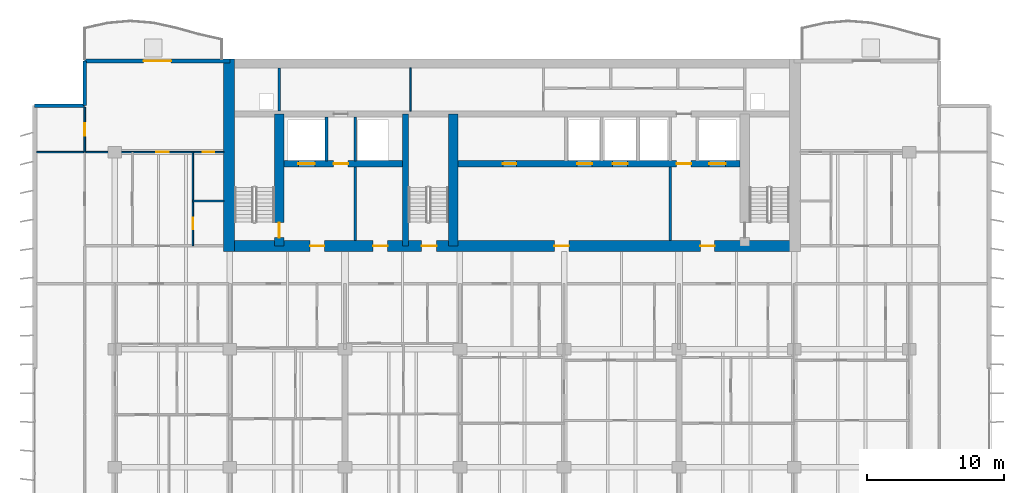
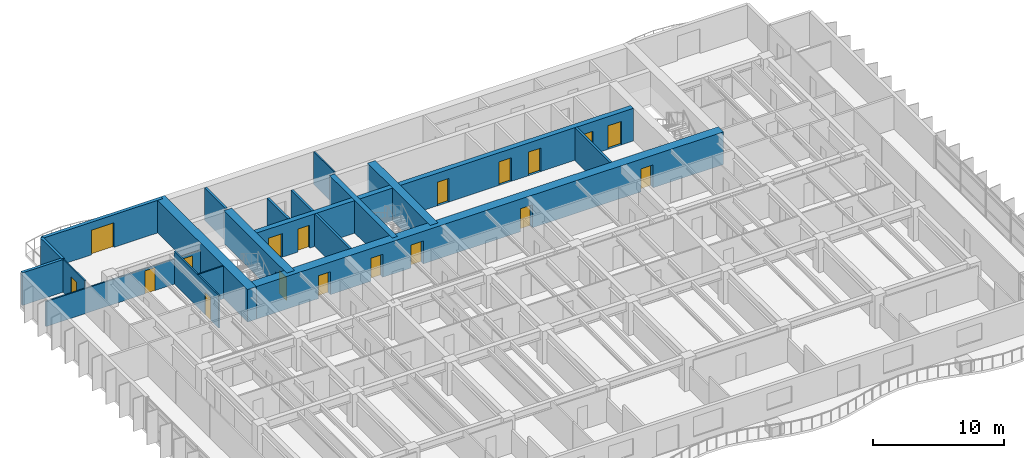
# One storey, part 10 of 16: 19 walls, 18 doors, 18 openings.
"""IFC4 building model written with IfcOpenShell, lengths in metres."""

from ifc_helpers import new_model, si_unit, direction, frame, frame_2d, origin, place, context, subcontext, project, spatial, rectangle, extrude, material, layer, layer_set, type_object, element, fill, save


model = new_model("IFC4")

# Units and contexts
model_context = context("Model", 3, precision=1e-05, world=origin(), true_north=direction((0.0, 1.0)))
body_context = subcontext(model_context, "Body", "Model", "MODEL_VIEW")
ifc_project = project(units=[si_unit("LENGTHUNIT", "METRE"), si_unit("AREAUNIT", "SQUARE_METRE"), si_unit("VOLUMEUNIT", "CUBIC_METRE"), si_unit("PLANEANGLEUNIT", "RADIAN"), si_unit("MASSUNIT", "GRAM", prefix="KILO")], contexts=[model_context])

# Site, building, storey
site_placement = place(None, origin())
site = spatial("IfcSite", under=ifc_project, at=site_placement, CompositionType="ELEMENT")
building_placement = place(site_placement, origin())
building = spatial("IfcBuilding", under=site, at=building_placement, Name="Caelmar Bay Residences", CompositionType="ELEMENT")
storey_placement = place(building_placement, frame((0.0, 0.0, 142.199951171875)))
storey = spatial("IfcBuildingStorey", under=building, at=storey_placement, Name="L39", CompositionType="ELEMENT", Elevation=142.199951171875)

# Wall, opening, door
ifc_material_1 = material(Name="Concrete f'c 55 MPa (8,000 psi)", Category="concrete")
ifc_layer_1 = layer(ifc_material_1, 0.699951171875)
ifc_layer_set_1 = layer_set([ifc_layer_1], Name="Concrete f'c 55 MPa (8,000 psi)")
wall_type_1 = type_object("IfcWallType", Name="SW-COR-700", PredefinedType="SHEAR", material=ifc_layer_set_1)
wall_1_placement = place(storey_placement, frame((21.89990234375, 36.949951171875, 0.0), z_axis=(0.0, 0.0, 1.0), x_axis=(0.0, 1.0, 0.0)))
wall_1 = element("IfcWall", 1, at=wall_1_placement, inside=storey, type_object=wall_type_1, Name="L39 Core Structural Web Wall ST1E", PredefinedType="SHEAR", context=body_context, shape_type="SweptSolid", body=[
    extrude(rectangle(XDim=9.625, YDim=0.699951171875, at=frame_2d((4.8125, 0.0))), origin(), (0.0, 0.0, 1.0), 3.050048828125),
])
opening_1_placement = place(wall_1_placement, frame((0.60009765625, 0.0, 0.0)))
opening_1 = element("IfcOpeningElement", 2, at=opening_1_placement, cuts=wall_1, Name="Opening D-L39-107", PredefinedType="OPENING", context=body_context, shape_type="SweptSolid", body=[
    extrude(rectangle(XDim=1.10009765625, YDim=2.14990234375, at=frame_2d((0.550048828125, 1.074951171875))), frame((0.0, 0.35986328125, 0.0), z_axis=(0.0, -1.0, 0.0), x_axis=(1.0, 0.0, 0.0)), (0.0, 0.0, 1.0), 0.719970703125),
])
ifc_material_2 = material(Name="Fire-rated steel and walnut architectural door assembly", Category="steel")
ifc_layer_2 = layer(ifc_material_2, 0.050048828125)
ifc_layer_set_2 = layer_set([ifc_layer_2], Name="Fire-rated steel and walnut architectural door assembly")
door_type_1 = type_object("IfcDoorType", Name="D-STAIR-1100", OperationType="NOTDEFINED", PredefinedType="DOOR", material=ifc_layer_set_2)
door_1_placement = place(opening_1_placement, origin())
door_1 = element("IfcDoor", 3, at=door_1_placement, inside=storey, type_object=door_type_1, Name="L39 Firefighting Lobby West Door", OperationType="SINGLE_SWING_LEFT", OverallHeight=2.14990234375, OverallWidth=1.10009765625, PredefinedType="DOOR", context=body_context, shape_type="SweptSolid", body=[
    extrude(rectangle(XDim=1.10009765625, YDim=2.14990234375, at=frame_2d((0.550048828125, 1.074951171875))), frame((0.0, 0.02490234375, 0.0), z_axis=(0.0, -1.0, 0.0), x_axis=(1.0, 0.0, 0.0)), (0.0, 0.0, 1.0), 0.050048828125),
])
fill(opening_1, door_1)

# Wall
wall_2_placement = place(storey_placement, frame((34.60009765625, 36.949951171875, 0.0), z_axis=(0.0, 0.0, 1.0), x_axis=(0.0, 1.0, 0.0)))
element("IfcWall", 4, at=wall_2_placement, inside=storey, type_object=wall_type_1, Name="L39 Core Structural Web Wall ST3E", PredefinedType="SHEAR", context=body_context, shape_type="SweptSolid", body=[
    extrude(rectangle(XDim=9.625, YDim=0.699951171875, at=frame_2d((4.8125, 0.0))), origin(), (0.0, 0.0, 1.0), 3.050048828125),
])

# Wall, openings, doors
ifc_material_3 = material(Name="Concrete f'c 70 MPa (10,000 psi)", Category="concrete")
ifc_layer_3 = layer(ifc_material_3, 0.800048828125)
ifc_layer_set_3 = layer_set([ifc_layer_3], Name="Concrete f'c 70 MPa (10,000 psi)")
wall_type_2 = type_object("IfcWallType", Name="SW-COR-800", PredefinedType="SHEAR", material=ifc_layer_set_3)
wall_3_placement = place(storey_placement, frame((17.85009765625, 36.949951171875, 0.0), z_axis=(0.0, 0.0, 1.0), x_axis=(1.0, 0.0, 0.0)))
wall_3 = element("IfcWall", 5, at=wall_3_placement, inside=storey, type_object=wall_type_2, Name="L39 Rear Core South Shear Wall", PredefinedType="SHEAR", context=body_context, shape_type="SweptSolid", body=[
    extrude(rectangle(XDim=42.099853515625, YDim=0.800048828125, at=frame_2d((21.0498046875, 0.0))), origin(), (0.0, 0.0, 1.0), 3.050048828125),
])
opening_2_placement = place(wall_3_placement, frame((14.449951171875, 0.0, 0.0)))
opening_2 = element("IfcOpeningElement", 6, at=opening_2_placement, cuts=wall_3, Name="Opening D-L39-105", PredefinedType="OPENING", context=body_context, shape_type="SweptSolid", body=[
    extrude(rectangle(XDim=1.10009765625, YDim=2.14990234375, at=frame_2d((0.550048828125, 1.074951171875))), frame((0.0, 0.409912109375, 0.0), z_axis=(0.0, -1.0, 0.0), x_axis=(1.0, 0.0, 0.0)), (0.0, 0.0, 1.0), 0.820068359375),
])
opening_3_placement = place(wall_3_placement, frame((6.300048828125, 0.0, 0.0)))
opening_3 = element("IfcOpeningElement", 7, at=opening_3_placement, cuts=wall_3, Name="Opening D-L39-106", PredefinedType="OPENING", context=body_context, shape_type="SweptSolid", body=[
    extrude(rectangle(XDim=1.050048828125, YDim=2.14990234375, at=frame_2d((0.52490234375, 1.074951171875))), frame((0.0, 0.409912109375, 0.0), z_axis=(0.0, -1.0, 0.0), x_axis=(1.0, 0.0, 0.0)), (0.0, 0.0, 1.0), 0.820068359375),
])
opening_4_placement = place(wall_3_placement, frame((34.800048828125, 0.0, 0.0)))
opening_4 = element("IfcOpeningElement", 8, at=opening_4_placement, cuts=wall_3, Name="Opening D-L39-109", PredefinedType="OPENING", context=body_context, shape_type="SweptSolid", body=[
    extrude(rectangle(XDim=1.050048828125, YDim=2.14990234375, at=frame_2d((0.52490234375, 1.074951171875))), frame((0.0, 0.409912109375, 0.0), z_axis=(0.0, -1.0, 0.0), x_axis=(1.0, 0.0, 0.0)), (0.0, 0.0, 1.0), 0.820068359375),
])
opening_5_placement = place(wall_3_placement, frame((10.91259765625, 0.0, 0.0)))
opening_5 = element("IfcOpeningElement", 9, at=opening_5_placement, cuts=wall_3, Name="Opening D-L39-112", PredefinedType="OPENING", context=body_context, shape_type="SweptSolid", body=[
    extrude(rectangle(XDim=1.050048828125, YDim=2.14990234375, at=frame_2d((0.52490234375, 1.074951171875))), frame((0.0, 0.409912109375, 0.0), z_axis=(0.0, -1.0, 0.0), x_axis=(1.0, 0.0, 0.0)), (0.0, 0.0, 1.0), 0.820068359375),
])
opening_6_placement = place(wall_3_placement, frame((24.14990234375, 0.0, 0.0)))
opening_6 = element("IfcOpeningElement", 10, at=opening_6_placement, cuts=wall_3, Name="Opening D-L39-113", PredefinedType="OPENING", context=body_context, shape_type="SweptSolid", body=[
    extrude(rectangle(XDim=1.050048828125, YDim=2.14990234375, at=frame_2d((0.52490234375, 1.074951171875))), frame((0.0, 0.409912109375, 0.0), z_axis=(0.0, -1.0, 0.0), x_axis=(1.0, 0.0, 0.0)), (0.0, 0.0, 1.0), 0.820068359375),
])
ifc_layer_4 = layer(ifc_material_2, 0.050048828125)
ifc_layer_set_4 = layer_set([ifc_layer_4], Name="Fire-rated steel and walnut architectural door assembly")
door_type_2 = type_object("IfcDoorType", Name="D-FSAE-1050", OperationType="NOTDEFINED", PredefinedType="DOOR", material=ifc_layer_set_4)
door_2_placement = place(opening_3_placement, origin())
door_2 = element("IfcDoor", 11, at=door_2_placement, inside=storey, type_object=door_type_2, Name="L39 Firefighting Lobby West Door", OperationType="SINGLE_SWING_RIGHT", OverallHeight=2.14990234375, OverallWidth=1.050048828125, PredefinedType="DOOR", context=body_context, shape_type="SweptSolid", body=[
    extrude(rectangle(XDim=1.050048828125, YDim=2.14990234375, at=frame_2d((0.52490234375, 1.074951171875))), frame((0.0, 0.02490234375, 0.0), z_axis=(0.0, -1.0, 0.0), x_axis=(1.0, 0.0, 0.0)), (0.0, 0.0, 1.0), 0.050048828125),
])
fill(opening_3, door_2)
door_3_placement = place(opening_4_placement, origin())
door_3 = element("IfcDoor", 12, at=door_3_placement, inside=storey, type_object=door_type_2, Name="L39 Firefighting Lobby East Door", OperationType="SINGLE_SWING_LEFT", OverallHeight=2.14990234375, OverallWidth=1.050048828125, PredefinedType="DOOR", context=body_context, shape_type="SweptSolid", body=[
    extrude(rectangle(XDim=1.050048828125, YDim=2.14990234375, at=frame_2d((0.52490234375, 1.074951171875))), frame((0.0, 0.02490234375, 0.0), z_axis=(0.0, -1.0, 0.0), x_axis=(1.0, 0.0, 0.0)), (0.0, 0.0, 1.0), 0.050048828125),
])
fill(opening_4, door_3)
door_4_placement = place(opening_5_placement, origin())
door_4 = element("IfcDoor", 13, at=door_4_placement, inside=storey, type_object=door_type_2, Name="L39 West Lift Lobby Door", OperationType="SINGLE_SWING_RIGHT", OverallHeight=2.14990234375, OverallWidth=1.050048828125, PredefinedType="DOOR", context=body_context, shape_type="SweptSolid", body=[
    extrude(rectangle(XDim=1.050048828125, YDim=2.14990234375, at=frame_2d((0.52490234375, 1.074951171875))), frame((0.0, 0.02490234375, 0.0), z_axis=(0.0, -1.0, 0.0), x_axis=(1.0, 0.0, 0.0)), (0.0, 0.0, 1.0), 0.050048828125),
])
fill(opening_5, door_4)
door_5_placement = place(opening_6_placement, origin())
door_5 = element("IfcDoor", 14, at=door_5_placement, inside=storey, type_object=door_type_2, Name="L39 Passenger Lift Lobby Door", OperationType="SINGLE_SWING_LEFT", OverallHeight=2.14990234375, OverallWidth=1.050048828125, PredefinedType="DOOR", context=body_context, shape_type="SweptSolid", body=[
    extrude(rectangle(XDim=1.050048828125, YDim=2.14990234375, at=frame_2d((0.52490234375, 1.074951171875))), frame((0.0, 0.02490234375, 0.0), z_axis=(0.0, -1.0, 0.0), x_axis=(1.0, 0.0, 0.0)), (0.0, 0.0, 1.0), 0.050048828125),
])
fill(opening_6, door_5)
door_6_placement = place(opening_2_placement, origin())
door_6 = element("IfcDoor", 15, at=door_6_placement, inside=storey, type_object=door_type_1, Name="L39 Exit Stair ST3 Door", OperationType="SINGLE_SWING_LEFT", OverallHeight=2.14990234375, OverallWidth=1.10009765625, PredefinedType="DOOR", context=body_context, shape_type="SweptSolid", body=[
    extrude(rectangle(XDim=1.10009765625, YDim=2.14990234375, at=frame_2d((0.550048828125, 1.074951171875))), frame((0.0, 0.02490234375, 0.0), z_axis=(0.0, -1.0, 0.0), x_axis=(1.0, 0.0, 0.0)), (0.0, 0.0, 1.0), 0.050048828125),
])
fill(opening_2, door_6)

# Walls
wall_4_placement = place(storey_placement, frame((18.25, 36.550048828125, 0.0), z_axis=(0.0, 0.0, 1.0), x_axis=(0.0, 1.0, 0.0)))
element("IfcWall", 16, at=wall_4_placement, inside=storey, type_object=wall_type_2, Name="L39 Rear Core West Shear Wall", PredefinedType="SHEAR", context=body_context, shape_type="SweptSolid", body=[
    extrude(rectangle(XDim=14.050048828125, YDim=0.800048828125, at=frame_2d((7.02490234375, 0.0))), origin(), (0.0, 0.0, 1.0), 3.050048828125),
])
ifc_layer_5 = layer(ifc_material_3, 0.449951171875)
ifc_layer_set_5 = layer_set([ifc_layer_5], Name="Concrete f'c 70 MPa (10,000 psi)")
wall_type_3 = type_object("IfcWallType", Name="SW-WEB-450", PredefinedType="SHEAR", material=ifc_layer_set_5)
wall_5_placement = place(storey_placement, frame((31.125, 36.949951171875, 0.0), z_axis=(0.0, 0.0, 1.0), x_axis=(0.0, 1.0, 0.0)))
element("IfcWall", 17, at=wall_5_placement, inside=storey, type_object=wall_type_3, Name="L39 Core Structural Web Wall ST3W", PredefinedType="SHEAR", context=body_context, shape_type="SweptSolid", body=[
    extrude(rectangle(XDim=9.625, YDim=0.449951171875, at=frame_2d((4.8125, 0.0))), origin(), (0.0, 0.0, 1.0), 3.050048828125),
])

# Wall, openings, doors
wall_6_placement = place(storey_placement, frame((22.25, 42.949951171875, 0.0), z_axis=(0.0, 0.0, 1.0), x_axis=(1.0, 0.0, 0.0)))
wall_6 = element("IfcWall", 18, at=wall_6_placement, inside=storey, type_object=wall_type_3, Name="L39 Core Structural Web Wall LFR", PredefinedType="SHEAR", context=body_context, shape_type="SweptSolid", body=[
    extrude(rectangle(XDim=33.300048828125, YDim=0.449951171875, at=frame_2d((16.64990234375, 0.0))), origin(), (0.0, 0.0, 1.0), 3.050048828125),
])
opening_7_placement = place(wall_6_placement, frame((1.050048828125, 0.0, 0.0)))
opening_7 = element("IfcOpeningElement", 19, at=opening_7_placement, cuts=wall_6, Name="Opening LD2", PredefinedType="OPENING", context=body_context, shape_type="SweptSolid", body=[
    extrude(rectangle(XDim=1.199951171875, YDim=2.199951171875, at=frame_2d((0.60009765625, 1.10009765625))), frame((0.0, 0.23486328125, 0.0), z_axis=(0.0, -1.0, 0.0), x_axis=(1.0, 0.0, 0.0)), (0.0, 0.0, 1.0), 0.469970703125),
])
opening_8_placement = place(wall_6_placement, frame((31.050048828125, 0.0, 0.0)))
opening_8 = element("IfcOpeningElement", 20, at=opening_8_placement, cuts=wall_6, Name="Opening LD2", PredefinedType="OPENING", context=body_context, shape_type="SweptSolid", body=[
    extrude(rectangle(XDim=1.199951171875, YDim=2.199951171875, at=frame_2d((0.60009765625, 1.10009765625))), frame((0.0, 0.23486328125, 0.0), z_axis=(0.0, -1.0, 0.0), x_axis=(1.0, 0.0, 0.0)), (0.0, 0.0, 1.0), 0.469970703125),
])
opening_9_placement = place(wall_6_placement, frame((21.39990234375, 0.0, 0.0)))
opening_9 = element("IfcOpeningElement", 21, at=opening_9_placement, cuts=wall_6, Name="Opening LD1", PredefinedType="OPENING", context=body_context, shape_type="SweptSolid", body=[
    extrude(rectangle(XDim=1.10009765625, YDim=2.199951171875, at=frame_2d((0.550048828125, 1.10009765625))), frame((0.0, 0.23486328125, 0.0), z_axis=(0.0, -1.0, 0.0), x_axis=(1.0, 0.0, 0.0)), (0.0, 0.0, 1.0), 0.469970703125),
])
opening_10_placement = place(wall_6_placement, frame((24.0, 0.0, 0.0)))
opening_10 = element("IfcOpeningElement", 22, at=opening_10_placement, cuts=wall_6, Name="Opening LD1", PredefinedType="OPENING", context=body_context, shape_type="SweptSolid", body=[
    extrude(rectangle(XDim=1.10009765625, YDim=2.199951171875, at=frame_2d((0.550048828125, 1.10009765625))), frame((0.0, 0.23486328125, 0.0), z_axis=(0.0, -1.0, 0.0), x_axis=(1.0, 0.0, 0.0)), (0.0, 0.0, 1.0), 0.469970703125),
])
opening_11_placement = place(wall_6_placement, frame((3.625, 0.0, 0.0)))
opening_11 = element("IfcOpeningElement", 23, at=opening_11_placement, cuts=wall_6, Name="Opening D-L39-108", PredefinedType="OPENING", context=body_context, shape_type="SweptSolid", body=[
    extrude(rectangle(XDim=1.050048828125, YDim=2.14990234375, at=frame_2d((0.52490234375, 1.074951171875))), frame((0.0, 0.23486328125, 0.0), z_axis=(0.0, -1.0, 0.0), x_axis=(1.0, 0.0, 0.0)), (0.0, 0.0, 1.0), 0.469970703125),
])
opening_12_placement = place(wall_6_placement, frame((28.675048828125, 0.0, 0.0)))
opening_12 = element("IfcOpeningElement", 24, at=opening_12_placement, cuts=wall_6, Name="Opening D-L39-111", PredefinedType="OPENING", context=body_context, shape_type="SweptSolid", body=[
    extrude(rectangle(XDim=1.050048828125, YDim=2.14990234375, at=frame_2d((0.52490234375, 1.074951171875))), frame((0.0, 0.23486328125, 0.0), z_axis=(0.0, -1.0, 0.0), x_axis=(1.0, 0.0, 0.0)), (0.0, 0.0, 1.0), 0.469970703125),
])
opening_13_placement = place(wall_6_placement, frame((15.97509765625, 0.0, 0.0)))
opening_13 = element("IfcOpeningElement", 25, at=opening_13_placement, cuts=wall_6, Name="Opening D-L39-114", PredefinedType="OPENING", context=body_context, shape_type="SweptSolid", body=[
    extrude(rectangle(XDim=1.0, YDim=2.199951171875, at=frame_2d((0.5, 1.10009765625))), frame((0.0, 0.23486328125, 0.0), z_axis=(0.0, -1.0, 0.0), x_axis=(1.0, 0.0, 0.0)), (0.0, 0.0, 1.0), 0.469970703125),
])
door_7_placement = place(opening_11_placement, origin())
door_7 = element("IfcDoor", 26, at=door_7_placement, inside=storey, type_object=door_type_2, Name="L39 Firefighting Lobby West Door", OperationType="SINGLE_SWING_RIGHT", OverallHeight=2.14990234375, OverallWidth=1.050048828125, PredefinedType="DOOR", context=body_context, shape_type="SweptSolid", body=[
    extrude(rectangle(XDim=1.050048828125, YDim=2.14990234375, at=frame_2d((0.52490234375, 1.074951171875))), frame((0.0, 0.02490234375, 0.0), z_axis=(0.0, -1.0, 0.0), x_axis=(1.0, 0.0, 0.0)), (0.0, 0.0, 1.0), 0.050048828125),
])
fill(opening_11, door_7)
door_8_placement = place(opening_12_placement, origin())
door_8 = element("IfcDoor", 27, at=door_8_placement, inside=storey, type_object=door_type_2, Name="L39 Firefighting Lobby East Door", OperationType="SINGLE_SWING_LEFT", OverallHeight=2.14990234375, OverallWidth=1.050048828125, PredefinedType="DOOR", context=body_context, shape_type="SweptSolid", body=[
    extrude(rectangle(XDim=1.050048828125, YDim=2.14990234375, at=frame_2d((0.52490234375, 1.074951171875))), frame((0.0, 0.02490234375, 0.0), z_axis=(0.0, -1.0, 0.0), x_axis=(1.0, 0.0, 0.0)), (0.0, 0.0, 1.0), 0.050048828125),
])
fill(opening_12, door_8)
ifc_material_4 = material(Name="Brushed bronze stainless-steel fire-rated lift landing doors", Category="steel")
ifc_layer_6 = layer(ifc_material_4, 0.050048828125)
ifc_layer_set_6 = layer_set([ifc_layer_6], Name="Brushed bronze stainless-steel fire-rated lift landing doors")
door_type_3 = type_object("IfcDoorType", Name="D-LND-1100", OperationType="DOUBLE_DOOR_SLIDING", PredefinedType="DOOR", material=ifc_layer_set_6)
door_9_placement = place(opening_9_placement, origin())
door_9 = element("IfcDoor", 28, at=door_9_placement, inside=storey, type_object=door_type_3, Name="L39 LP4 Sliding Landing Door", OperationType="DOUBLE_DOOR_SLIDING", OverallHeight=2.199951171875, OverallWidth=1.10009765625, PredefinedType="DOOR", context=body_context, shape_type="SweptSolid", body=[
    extrude(rectangle(XDim=1.10009765625, YDim=2.199951171875, at=frame_2d((0.550048828125, 1.10009765625))), frame((0.0, 0.02490234375, 0.0), z_axis=(0.0, -1.0, 0.0), x_axis=(1.0, 0.0, 0.0)), (0.0, 0.0, 1.0), 0.050048828125),
])
fill(opening_9, door_9)
door_10_placement = place(opening_10_placement, origin())
door_10 = element("IfcDoor", 29, at=door_10_placement, inside=storey, type_object=door_type_3, Name="L39 LP5 Sliding Landing Door", OperationType="DOUBLE_DOOR_SLIDING", OverallHeight=2.199951171875, OverallWidth=1.10009765625, PredefinedType="DOOR", context=body_context, shape_type="SweptSolid", body=[
    extrude(rectangle(XDim=1.10009765625, YDim=2.199951171875, at=frame_2d((0.550048828125, 1.10009765625))), frame((0.0, 0.02490234375, 0.0), z_axis=(0.0, -1.0, 0.0), x_axis=(1.0, 0.0, 0.0)), (0.0, 0.0, 1.0), 0.050048828125),
])
fill(opening_10, door_10)
ifc_material_5 = material(Name="Brushed stainless-steel FSAE sliding landing door", Category="steel")
ifc_layer_7 = layer(ifc_material_5, 0.050048828125)
ifc_layer_set_7 = layer_set([ifc_layer_7], Name="Brushed stainless-steel FSAE sliding landing door")
door_type_4 = type_object("IfcDoorType", Name="D-LND-1200", OperationType="DOUBLE_DOOR_SLIDING", PredefinedType="DOOR", material=ifc_layer_set_7)
door_11_placement = place(opening_7_placement, origin())
door_11 = element("IfcDoor", 30, at=door_11_placement, inside=storey, type_object=door_type_4, Name="L39 LF1 Sliding Landing Door", OperationType="DOUBLE_DOOR_SLIDING", OverallHeight=2.199951171875, OverallWidth=1.199951171875, PredefinedType="DOOR", context=body_context, shape_type="SweptSolid", body=[
    extrude(rectangle(XDim=1.199951171875, YDim=2.199951171875, at=frame_2d((0.60009765625, 1.10009765625))), frame((0.0, 0.02490234375, 0.0), z_axis=(0.0, -1.0, 0.0), x_axis=(1.0, 0.0, 0.0)), (0.0, 0.0, 1.0), 0.050048828125),
])
fill(opening_7, door_11)
door_12_placement = place(opening_8_placement, origin())
door_12 = element("IfcDoor", 31, at=door_12_placement, inside=storey, type_object=door_type_4, Name="L39 LF2 Sliding Landing Door", OperationType="DOUBLE_DOOR_SLIDING", OverallHeight=2.199951171875, OverallWidth=1.199951171875, PredefinedType="DOOR", context=body_context, shape_type="SweptSolid", body=[
    extrude(rectangle(XDim=1.199951171875, YDim=2.199951171875, at=frame_2d((0.60009765625, 1.10009765625))), frame((0.0, 0.02490234375, 0.0), z_axis=(0.0, -1.0, 0.0), x_axis=(1.0, 0.0, 0.0)), (0.0, 0.0, 1.0), 0.050048828125),
])
fill(opening_8, door_12)
ifc_layer_8 = layer(ifc_material_2, 0.050048828125)
ifc_layer_set_8 = layer_set([ifc_layer_8], Name="Fire-rated steel and walnut architectural door assembly")
door_type_5 = type_object("IfcDoorType", Name="D-UNIT-1000", OperationType="NOTDEFINED", PredefinedType="DOOR", material=ifc_layer_set_8)
door_13_placement = place(opening_13_placement, origin())
door_13 = element("IfcDoor", 32, at=door_13_placement, inside=storey, type_object=door_type_5, Name="L39 Quiet Reading Study Door", OperationType="SINGLE_SWING_RIGHT", OverallHeight=2.199951171875, OverallWidth=1.0, PredefinedType="DOOR", context=body_context, shape_type="SweptSolid", body=[
    extrude(rectangle(XDim=1.0, YDim=2.199951171875, at=frame_2d((0.5, 1.10009765625))), frame((0.0, 0.02490234375, 0.0), z_axis=(0.0, -1.0, 0.0), x_axis=(1.0, 0.0, 0.0)), (0.0, 0.0, 1.0), 0.050048828125),
])
fill(opening_13, door_13)

# Walls
ifc_material_6 = material(Name="Precast concrete f'c 40 MPa (6,000 psi)", Category="concrete")
ifc_layer_9 = layer(ifc_material_6, 0.25)
ifc_layer_set_9 = layer_set([ifc_layer_9], Name="Precast concrete f'c 40 MPa (6,000 psi)")
wall_type_4 = type_object("IfcWallType", Name="W-EXT-250", PredefinedType="ELEMENTEDWALL", material=ifc_layer_set_9)
wall_7_placement = place(storey_placement, frame((4.050048828125, 47.199951171875, 0.0), z_axis=(0.0, 0.0, 1.0), x_axis=(1.0, 0.0, 0.0)))
element("IfcWall", 33, at=wall_7_placement, inside=storey, type_object=wall_type_4, Name="L39 NNW-H Notch Wall", PredefinedType="ELEMENTEDWALL", context=body_context, shape_type="SweptSolid", body=[
    extrude(rectangle(XDim=3.64990234375, YDim=0.25, at=frame_2d((1.824951171875, 0.0))), origin(), (0.0, 0.0, 1.0), 3.050048828125),
])
wall_8_placement = place(storey_placement, frame((7.699951171875, 47.199951171875, 0.0), z_axis=(0.0, 0.0, 1.0), x_axis=(0.0, 1.0, 0.0)))
element("IfcWall", 34, at=wall_8_placement, inside=storey, type_object=wall_type_4, Name="L39 NNW-V Notch Wall", PredefinedType="ELEMENTEDWALL", context=body_context, shape_type="SweptSolid", body=[
    extrude(rectangle(XDim=3.25, YDim=0.25, at=frame_2d((1.625, 0.0))), origin(), (0.0, 0.0, 1.0), 3.050048828125),
])

# Wall, opening, door
ifc_layer_10 = layer(ifc_material_6, 0.300048828125)
ifc_layer_set_10 = layer_set([ifc_layer_10], Name="Precast concrete f'c 40 MPa (6,000 psi)")
wall_type_5 = type_object("IfcWallType", Name="W-EXT-300", PredefinedType="STANDARD", material=ifc_layer_set_10)
wall_9_placement = place(storey_placement, frame((7.699951171875, 50.449951171875, 0.0), z_axis=(0.0, 0.0, 1.0), x_axis=(1.0, 0.0, 0.0)))
wall_9 = element("IfcWall", 35, at=wall_9_placement, inside=storey, type_object=wall_type_5, Name="L39 North-West Wing Exterior Wall", PredefinedType="STANDARD", context=body_context, shape_type="SweptSolid", body=[
    extrude(rectangle(XDim=10.60009765625, YDim=0.300048828125, at=frame_2d((5.300048828125, 0.0))), origin(), (0.0, 0.0, 1.0), 3.050048828125),
])
opening_14_placement = place(wall_9_placement, frame((4.300048828125, 0.0, 0.0)))
opening_14 = element("IfcOpeningElement", 36, at=opening_14_placement, cuts=wall_9, Name="Opening L39-BDNW", PredefinedType="OPENING", context=body_context, shape_type="SweptSolid", body=[
    extrude(rectangle(XDim=2.0, YDim=2.300048828125, at=frame_2d((1.0, 1.14990234375))), frame((0.0, 0.159912109375, 0.0), z_axis=(0.0, -1.0, 0.0), x_axis=(1.0, 0.0, 0.0)), (0.0, 0.0, 1.0), 0.320068359375),
])
ifc_material_7 = material(Name="Anodised bronze thermally broken sliding glass door", Category="glass")
ifc_layer_11 = layer(ifc_material_7, 0.050048828125)
ifc_layer_set_11 = layer_set([ifc_layer_11], Name="Anodised bronze thermally broken sliding glass door")
door_type_6 = type_object("IfcDoorType", Name="D-BAL-2000", OperationType="DOUBLE_DOOR_SLIDING", PredefinedType="DOOR", material=ifc_layer_set_11)
door_14_placement = place(opening_14_placement, origin())
door_14 = element("IfcDoor", 37, at=door_14_placement, inside=storey, type_object=door_type_6, Name="L39 North-West Balcony Door", OperationType="DOUBLE_DOOR_SLIDING", OverallHeight=2.300048828125, OverallWidth=2.0, PredefinedType="DOOR", context=body_context, shape_type="SweptSolid", body=[
    extrude(rectangle(XDim=2.0, YDim=2.300048828125, at=frame_2d((1.0, 1.14990234375))), frame((0.0, 0.02490234375, 0.0), z_axis=(0.0, -1.0, 0.0), x_axis=(1.0, 0.0, 0.0)), (0.0, 0.0, 1.0), 0.050048828125),
])
fill(opening_14, door_14)

# Walls
ifc_material_8 = material(Name="Fire-rated masonry and gypsum shaftliner assembly 200 mm", Category="masonry")
ifc_layer_12 = layer(ifc_material_8, 0.199951171875)
ifc_layer_set_12 = layer_set([ifc_layer_12], Name="Fire-rated masonry and gypsum shaftliner assembly 200 mm")
wall_type_6 = type_object("IfcWallType", Name="W-FSAE-200", PredefinedType="PARTITIONING", material=ifc_layer_set_12)
wall_10_placement = place(storey_placement, frame((21.89990234375, 46.794921875, 0.0), z_axis=(0.0, 0.0, 1.0), x_axis=(0.0, 1.0, 0.0)))
element("IfcWall", 38, at=wall_10_placement, inside=storey, type_object=wall_type_6, Name="L39 Partition Wall V021", PredefinedType="PARTITIONING", context=body_context, shape_type="SweptSolid", body=[
    extrude(rectangle(XDim=3.16015625, YDim=0.199951171875, at=frame_2d((1.580078125, 0.0))), origin(), (0.0, 0.0, 1.0), 3.050048828125),
])
wall_11_placement = place(storey_placement, frame((25.35009765625, 43.169921875, 0.0), z_axis=(0.0, 0.0, 1.0), x_axis=(0.0, 1.0, 0.0)))
element("IfcWall", 39, at=wall_11_placement, inside=storey, type_object=wall_type_6, Name="L39 Partition Wall V028", PredefinedType="PARTITIONING", context=body_context, shape_type="SweptSolid", body=[
    extrude(rectangle(XDim=3.18505859375, YDim=0.199951171875, at=frame_2d((1.592529296875, 0.0))), origin(), (0.0, 0.0, 1.0), 3.050048828125),
])
wall_12_placement = place(storey_placement, frame((27.449951171875, 37.344970703125, 0.0), z_axis=(0.0, 0.0, 1.0), x_axis=(0.0, 1.0, 0.0)))
element("IfcWall", 40, at=wall_12_placement, inside=storey, type_object=wall_type_6, Name="L39 Partition Wall V033", PredefinedType="PARTITIONING", context=body_context, shape_type="SweptSolid", body=[
    extrude(rectangle(XDim=5.385009765625, YDim=0.199951171875, at=frame_2d((2.6923828125, 0.0))), origin(), (0.0, 0.0, 1.0), 3.050048828125),
])
wall_13_placement = place(storey_placement, frame((27.449951171875, 43.169921875, 0.0), z_axis=(0.0, 0.0, 1.0), x_axis=(0.0, 1.0, 0.0)))
element("IfcWall", 41, at=wall_13_placement, inside=storey, type_object=wall_type_6, Name="L39 Partition Wall V034", PredefinedType="PARTITIONING", context=body_context, shape_type="SweptSolid", body=[
    extrude(rectangle(XDim=3.18505859375, YDim=0.199951171875, at=frame_2d((1.592529296875, 0.0))), origin(), (0.0, 0.0, 1.0), 3.050048828125),
])
wall_14_placement = place(storey_placement, frame((50.449951171875, 37.344970703125, 0.0), z_axis=(0.0, 0.0, 1.0), x_axis=(0.0, 1.0, 0.0)))
element("IfcWall", 42, at=wall_14_placement, inside=storey, type_object=wall_type_6, Name="L39 Partition Wall V057", PredefinedType="PARTITIONING", context=body_context, shape_type="SweptSolid", body=[
    extrude(rectangle(XDim=5.385009765625, YDim=0.199951171875, at=frame_2d((2.6923828125, 0.0))), origin(), (0.0, 0.0, 1.0), 3.050048828125),
])

# Wall, opening, door
ifc_material_9 = material(Name="Acoustic metal-stud gypsum partition 120 mm")
ifc_layer_13 = layer(ifc_material_9, 0.1201171875)
ifc_layer_set_13 = layer_set([ifc_layer_13], Name="Acoustic metal-stud gypsum partition 120 mm")
wall_type_7 = type_object("IfcWallType", Name="W-PRT-120", PredefinedType="PARTITIONING", material=ifc_layer_set_13)
wall_15_placement = place(storey_placement, frame((7.699951171875, 43.804931640625, 0.0), z_axis=(0.0, 0.0, 1.0), x_axis=(0.0, 1.0, 0.0)))
wall_15 = element("IfcWall", 43, at=wall_15_placement, inside=storey, type_object=wall_type_7, Name="L39 Partition Wall V006", PredefinedType="PARTITIONING", context=body_context, shape_type="SweptSolid", body=[
    extrude(rectangle(XDim=3.275146484375, YDim=0.1201171875, at=frame_2d((1.6376953125, 0.0))), origin(), (0.0, 0.0, 1.0), 3.050048828125),
])
opening_15_placement = place(wall_15_placement, frame((1.1875, 0.0, 0.0)))
opening_15 = element("IfcOpeningElement", 44, at=opening_15_placement, cuts=wall_15, Name="Opening D-L39-171", PredefinedType="OPENING", context=body_context, shape_type="SweptSolid", body=[
    extrude(rectangle(XDim=0.89990234375, YDim=2.14990234375, at=frame_2d((0.449951171875, 1.074951171875))), frame((0.0, 0.070068359375, 0.0), z_axis=(0.0, -1.0, 0.0), x_axis=(1.0, 0.0, 0.0)), (0.0, 0.0, 1.0), 0.14013671875),
])
ifc_material_10 = material(Name="Solid walnut timber interior door leaf and frame", Category="wood")
ifc_layer_14 = layer(ifc_material_10, 0.050048828125)
ifc_layer_set_14 = layer_set([ifc_layer_14], Name="Solid walnut timber interior door leaf and frame")
door_type_7 = type_object("IfcDoorType", Name="D-ROOM-900", OperationType="NOTDEFINED", PredefinedType="DOOR", material=ifc_layer_set_14)
door_15_placement = place(opening_15_placement, origin())
door_15 = element("IfcDoor", 45, at=door_15_placement, inside=storey, type_object=door_type_7, Name="L39 Residence WA North Sitting Alcove Door", OperationType="SINGLE_SWING_LEFT", OverallHeight=2.14990234375, OverallWidth=0.89990234375, PredefinedType="DOOR", context=body_context, shape_type="SweptSolid", body=[
    extrude(rectangle(XDim=0.89990234375, YDim=2.14990234375, at=frame_2d((0.449951171875, 1.074951171875))), frame((0.0, 0.02490234375, 0.0), z_axis=(0.0, -1.0, 0.0), x_axis=(1.0, 0.0, 0.0)), (0.0, 0.0, 1.0), 0.050048828125),
])
fill(opening_15, door_15)

wall_16_placement = place(storey_placement, frame((15.60009765625, 36.949951171875, 0.0), z_axis=(0.0, 0.0, 1.0), x_axis=(0.0, 1.0, 0.0)))
wall_16 = element("IfcWall", 46, at=wall_16_placement, inside=storey, type_object=wall_type_7, Name="L39 Partition Wall V015", PredefinedType="PARTITIONING", context=body_context, shape_type="SweptSolid", body=[
    extrude(rectangle(XDim=6.85009765625, YDim=0.1201171875, at=frame_2d((3.425048828125, 0.0))), origin(), (0.0, 0.0, 1.0), 3.050048828125),
])
opening_16_placement = place(wall_16_placement, frame((1.218994140625, 0.0, 0.0)))
opening_16 = element("IfcOpeningElement", 47, at=opening_16_placement, cuts=wall_16, Name="Opening D-L39-168", PredefinedType="OPENING", context=body_context, shape_type="SweptSolid", body=[
    extrude(rectangle(XDim=0.85009765625, YDim=2.10009765625, at=frame_2d((0.425048828125, 1.050048828125))), frame((0.0, 0.070068359375, 0.0), z_axis=(0.0, -1.0, 0.0), x_axis=(1.0, 0.0, 0.0)), (0.0, 0.0, 1.0), 0.14013671875),
])
ifc_layer_15 = layer(ifc_material_10, 0.050048828125)
ifc_layer_set_15 = layer_set([ifc_layer_15], Name="Solid walnut timber interior door leaf and frame")
door_type_8 = type_object("IfcDoorType", Name="D-BATH-850", OperationType="NOTDEFINED", PredefinedType="DOOR", material=ifc_layer_set_15)
door_16_placement = place(opening_16_placement, origin())
door_16 = element("IfcDoor", 48, at=door_16_placement, inside=storey, type_object=door_type_8, Name="L39 Residence WA Walk-In Closet Door", OperationType="SINGLE_SWING_RIGHT", OverallHeight=2.10009765625, OverallWidth=0.85009765625, PredefinedType="DOOR", context=body_context, shape_type="SweptSolid", body=[
    extrude(rectangle(XDim=0.85009765625, YDim=2.10009765625, at=frame_2d((0.425048828125, 1.050048828125))), frame((0.0, 0.02490234375, 0.0), z_axis=(0.0, -1.0, 0.0), x_axis=(1.0, 0.0, 0.0)), (0.0, 0.0, 1.0), 0.050048828125),
])
fill(opening_16, door_16)

# Walls
wall_17_placement = place(storey_placement, frame((31.5, 46.794921875, 0.0), z_axis=(0.0, 0.0, 1.0), x_axis=(0.0, 1.0, 0.0)))
element("IfcWall", 49, at=wall_17_placement, inside=storey, type_object=wall_type_7, Name="L39 Partition Wall V038", PredefinedType="PARTITIONING", context=body_context, shape_type="SweptSolid", body=[
    extrude(rectangle(XDim=3.16015625, YDim=0.1201171875, at=frame_2d((1.580078125, 0.0))), origin(), (0.0, 0.0, 1.0), 3.050048828125),
])
wall_18_placement = place(storey_placement, frame((15.60009765625, 40.238037109375, 0.0), z_axis=(0.0, 0.0, 1.0), x_axis=(1.0, 0.0, 0.0)))
element("IfcWall", 50, at=wall_18_placement, inside=storey, type_object=wall_type_7, Name="L39 Partition Wall H114", PredefinedType="PARTITIONING", context=body_context, shape_type="SweptSolid", body=[
    extrude(rectangle(XDim=2.2548828125, YDim=0.1201171875, at=frame_2d((1.12744140625, 0.0))), origin(), (0.0, 0.0, 1.0), 3.050048828125),
])

# Wall, openings, doors
wall_19_placement = place(storey_placement, frame((4.195068359375, 43.800048828125, 0.0), z_axis=(0.0, 0.0, 1.0), x_axis=(1.0, 0.0, 0.0)))
wall_19 = element("IfcWall", 51, at=wall_19_placement, inside=storey, type_object=wall_type_7, Name="L39 Partition Wall H116", PredefinedType="PARTITIONING", context=body_context, shape_type="SweptSolid", body=[
    extrude(rectangle(XDim=13.659912109375, YDim=0.1201171875, at=frame_2d((6.830078125, 0.0))), origin(), (0.0, 0.0, 1.0), 2.339111328125),
])
opening_17_placement = place(wall_19_placement, frame((8.742919921875, 0.0, 0.0)))
opening_17 = element("IfcOpeningElement", 52, at=opening_17_placement, cuts=wall_19, Name="Opening D-L39-167", PredefinedType="OPENING", context=body_context, shape_type="SweptSolid", body=[
    extrude(rectangle(XDim=0.89990234375, YDim=2.14990234375, at=frame_2d((0.449951171875, 1.074951171875))), frame((0.0, 0.070068359375, 0.0), z_axis=(0.0, -1.0, 0.0), x_axis=(1.0, 0.0, 0.0)), (0.0, 0.0, 1.0), 0.14013671875),
])
opening_18_placement = place(wall_19_placement, frame((12.107421875, 0.0, 0.0)))
opening_18 = element("IfcOpeningElement", 53, at=opening_18_placement, cuts=wall_19, Name="Opening D-L39-169", PredefinedType="OPENING", context=body_context, shape_type="SweptSolid", body=[
    extrude(rectangle(XDim=0.85009765625, YDim=2.10009765625, at=frame_2d((0.425048828125, 1.050048828125))), frame((0.0, 0.070068359375, 0.0), z_axis=(0.0, -1.0, 0.0), x_axis=(1.0, 0.0, 0.0)), (0.0, 0.0, 1.0), 0.14013671875),
])
door_17_placement = place(opening_18_placement, origin())
door_17 = element("IfcDoor", 54, at=door_17_placement, inside=storey, type_object=door_type_8, Name="L39 Residence WA Bathroom Door", OperationType="SINGLE_SWING_LEFT", OverallHeight=2.10009765625, OverallWidth=0.85009765625, PredefinedType="DOOR", context=body_context, shape_type="SweptSolid", body=[
    extrude(rectangle(XDim=0.85009765625, YDim=2.10009765625, at=frame_2d((0.425048828125, 1.050048828125))), frame((0.0, 0.02490234375, 0.0), z_axis=(0.0, -1.0, 0.0), x_axis=(1.0, 0.0, 0.0)), (0.0, 0.0, 1.0), 0.050048828125),
])
fill(opening_18, door_17)
door_18_placement = place(opening_17_placement, origin())
door_18 = element("IfcDoor", 55, at=door_18_placement, inside=storey, type_object=door_type_7, Name="L39 Residence WA Studio Living and Sleeping Room Door", OperationType="SINGLE_SWING_LEFT", OverallHeight=2.14990234375, OverallWidth=0.89990234375, PredefinedType="DOOR", context=body_context, shape_type="SweptSolid", body=[
    extrude(rectangle(XDim=0.89990234375, YDim=2.14990234375, at=frame_2d((0.449951171875, 1.074951171875))), frame((0.0, 0.02490234375, 0.0), z_axis=(0.0, -1.0, 0.0), x_axis=(1.0, 0.0, 0.0)), (0.0, 0.0, 1.0), 0.050048828125),
])
fill(opening_17, door_18)

save(model, "model.ifc")
